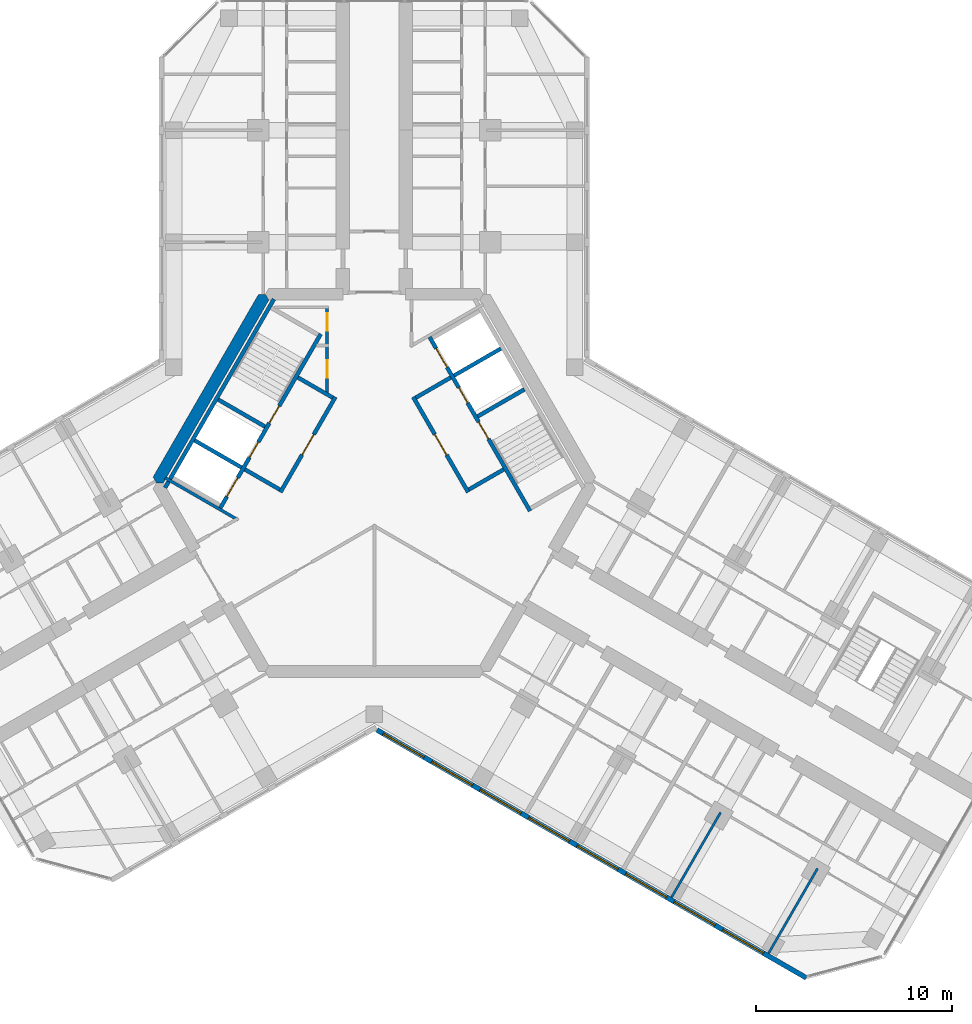
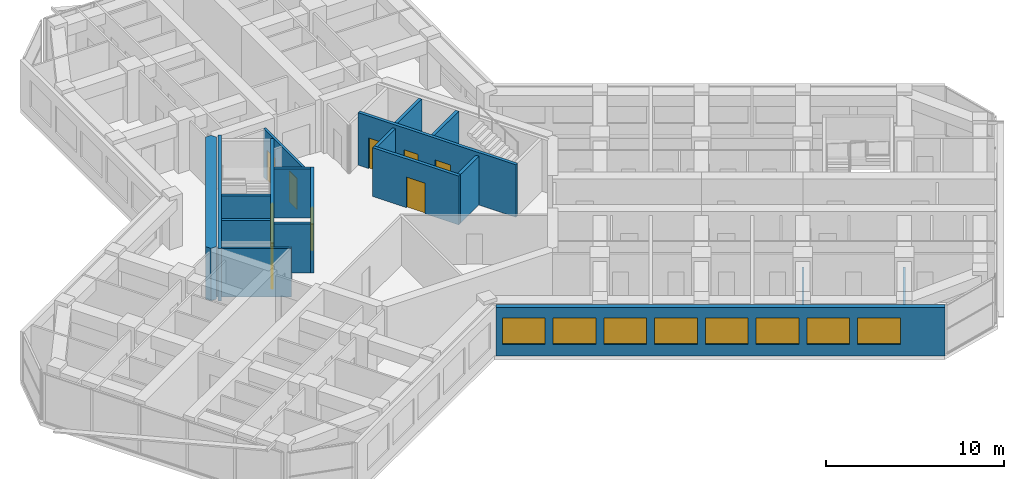
# One storey, part 10 of 16: 19 walls, 10 doors, 8 windows, 18 openings.
"""IFC4 building model written with IfcOpenShell, lengths in metres."""

from ifc_helpers import new_model, si_unit, direction, frame, frame_2d, origin, place, context, subcontext, project, spatial, polyline, rectangle, outline, extrude, material, layer, layer_set, type_object, element, fill, save


model = new_model("IFC4")

# Units and contexts
model_context = context("Model", 3, precision=1e-05, world=origin(), true_north=direction((0.0, 1.0)))
body_context = subcontext(model_context, "Body", "Model", "MODEL_VIEW")
ifc_project = project(units=[si_unit("LENGTHUNIT", "METRE"), si_unit("AREAUNIT", "SQUARE_METRE"), si_unit("VOLUMEUNIT", "CUBIC_METRE"), si_unit("PLANEANGLEUNIT", "RADIAN"), si_unit("MASSUNIT", "GRAM", prefix="KILO")], contexts=[model_context])

# Site, building, storey
site_placement = place(None, origin())
site = spatial("IfcSite", under=ifc_project, at=site_placement, CompositionType="ELEMENT")
building_placement = place(site_placement, origin())
building = spatial("IfcBuilding", under=site, at=building_placement, Name="Kosmar Iwan School Tower", CompositionType="ELEMENT")
storey_placement = place(building_placement, frame((0.0, 0.0, 253.199951171875)))
storey = spatial("IfcBuildingStorey", under=building, at=storey_placement, Name="L64", CompositionType="ELEMENT", Elevation=253.199951171875)

# Wall, openings, doors
ifc_material_1 = material(Name="Gypsum board on steel studs, fire-rated", Category="steel")
ifc_layer_1 = layer(ifc_material_1, 0.14990234375)
ifc_layer_set_1 = layer_set([ifc_layer_1], Name="Core room partition 150")
wall_type_1 = type_object("IfcWallType", Name="Core room partition 150", PredefinedType="PARTITIONING", material=ifc_layer_set_1)
wall_1_placement = place(storey_placement, frame((-2.39990234375, 9.014892578125, 0.0), z_axis=(0.0, 0.0, 1.0), x_axis=(0.0, -1.0, 0.0)))
wall_1 = element("IfcWall", 1, at=wall_1_placement, inside=storey, type_object=wall_type_1, Name="Core room partition L64-CW1", PredefinedType="PARTITIONING", context=body_context, shape_type="SweptSolid", body=[
    extrude(rectangle(XDim=4.484130859375, YDim=0.14990234375, at=frame_2d((2.2421875, 0.0))), origin(), (0.0, 0.0, 1.0), 3.35009765625),
])
opening_1_placement = place(wall_1_placement, frame((0.375, 0.0, 0.0)))
opening_1 = element("IfcOpeningElement", 2, at=opening_1_placement, cuts=wall_1, Name="Opening D14", PredefinedType="OPENING", context=body_context, shape_type="SweptSolid", body=[
    extrude(rectangle(XDim=0.89990234375, YDim=2.10009765625, at=frame_2d((0.449951171875, 1.050048828125))), frame((0.0, 0.0869140625, 0.0), z_axis=(0.0, -1.0, 0.0), x_axis=(1.0, 0.0, 0.0)), (0.0, 0.0, 1.0), 0.173828125),
])
opening_2_placement = place(wall_1_placement, frame((2.77490234375, 0.0, 0.0)))
opening_2 = element("IfcOpeningElement", 3, at=opening_2_placement, cuts=wall_1, Name="Opening D14", PredefinedType="OPENING", context=body_context, shape_type="SweptSolid", body=[
    extrude(rectangle(XDim=0.89990234375, YDim=2.10009765625, at=frame_2d((0.449951171875, 1.050048828125))), frame((0.0, 0.0869140625, 0.0), z_axis=(0.0, -1.0, 0.0), x_axis=(1.0, 0.0, 0.0)), (0.0, 0.0, 1.0), 0.173828125),
])
ifc_material_2 = material(Name="Timber fire door in steel frame", Category="steel")
door_type_1 = type_object("IfcDoorType", Name="Core room door 900x2100", OperationType="SINGLE_SWING_LEFT", PredefinedType="DOOR", material=ifc_material_2)
door_1_placement = place(opening_1_placement, origin())
door_1 = element("IfcDoor", 4, at=door_1_placement, inside=storey, type_object=door_type_1, Name="Electrical riser and switch room door L64 1", OperationType="SINGLE_SWING_LEFT", OverallHeight=2.10009765625, OverallWidth=0.89990234375, PredefinedType="DOOR", context=body_context, shape_type="SweptSolid", body=[
    extrude(rectangle(XDim=0.89990234375, YDim=2.10009765625, at=frame_2d((0.449951171875, 1.050048828125))), frame((0.0, 0.02490234375, 0.0), z_axis=(0.0, -1.0, 0.0), x_axis=(1.0, 0.0, 0.0)), (0.0, 0.0, 1.0), 0.050048828125),
])
fill(opening_1, door_1)
door_2_placement = place(opening_2_placement, origin())
door_2 = element("IfcDoor", 5, at=door_2_placement, inside=storey, type_object=door_type_1, Name="Plumbing and wet riser door L64 2", OperationType="SINGLE_SWING_RIGHT", OverallHeight=2.10009765625, OverallWidth=0.89990234375, PredefinedType="DOOR", context=body_context, shape_type="SweptSolid", body=[
    extrude(rectangle(XDim=0.89990234375, YDim=2.10009765625, at=frame_2d((0.449951171875, 1.050048828125))), frame((0.0, 0.02490234375, 0.0), z_axis=(0.0, -1.0, 0.0), x_axis=(1.0, 0.0, 0.0)), (0.0, 0.0, 1.0), 0.050048828125),
])
fill(opening_2, door_2)

# Walls
wall_2_placement = place(storey_placement, frame((-10.64306640625, 0.255859375, 0.0), z_axis=(0.0, 0.0, 1.0), x_axis=(0.866020364144, -0.500008728811, 0.0)))
element("IfcWall", 6, at=wall_2_placement, inside=storey, type_object=wall_type_1, Name="Core room partition L64-CW10", PredefinedType="PARTITIONING", context=body_context, shape_type="SweptSolid", body=[
    extrude(rectangle(XDim=4.28173828125, YDim=0.14990234375, at=frame_2d((2.140869140625, 0.0))), origin(), (0.0, 0.0, 1.0), 3.35009765625),
])
ifc_material_3 = material(Name="Concrete C50/60", Category="concrete")
ifc_layer_2 = layer(ifc_material_3, 0.60009765625)
ifc_layer_set_2 = layer_set([ifc_layer_2], Name="Core wall 600")
wall_type_2 = type_object("IfcWallType", Name="Core wall 600", PredefinedType="SHEAR", material=ifc_layer_set_2)
wall_3_placement = place(storey_placement, origin())
element("IfcWall", 7, at=wall_3_placement, inside=storey, type_object=wall_type_2, Name="Core wall F150", PredefinedType="SHEAR", context=body_context, shape_type="SweptSolid", body=[
    extrude(outline(polyline([(-11.085205078125, 0.0), (-10.73876953125, 0.0), (-5.369384765625, 9.300048828125), (-5.54248046875, 9.60009765625), (-5.888916015625, 9.60009765625), (-11.25830078125, 0.300048828125), (-11.085205078125, 0.0)])), origin(), (0.0, 0.0, 1.0), 3.60009765625),
])
ifc_material_4 = material(Name="Gypsum board on steel studs", Category="steel")
ifc_layer_3 = layer(ifc_material_4, 0.1201171875)
ifc_layer_set_3 = layer_set([ifc_layer_3], Name="Dwelling partition 120")
wall_type_3 = type_object("IfcWallType", Name="Dwelling partition 120", PredefinedType="PARTITIONING", material=ifc_layer_set_3)
wall_4_placement = place(storey_placement, frame((17.62646484375, -16.77001953125, 0.0), z_axis=(0.0, 0.0, 1.0), x_axis=(-0.499975153383, -0.86603974851, 0.0)))
element("IfcWall", 8, at=wall_4_placement, inside=storey, type_object=wall_type_3, Name="Partition L64-CR3-X1", PredefinedType="PARTITIONING", context=body_context, shape_type="SweptSolid", body=[
    extrude(rectangle(XDim=4.989990234375, YDim=0.1201171875, at=frame_2d((2.4951171875, 0.0))), origin(), (0.0, 0.0, 1.0), 2.449951171875),
])
wall_5_placement = place(storey_placement, frame((22.562744140625, -19.6201171875, 0.0), z_axis=(0.0, 0.0, 1.0), x_axis=(-0.499996339024, -0.86602751744, 0.0)))
element("IfcWall", 9, at=wall_5_placement, inside=storey, type_object=wall_type_3, Name="Partition L64-CR3-X2", PredefinedType="PARTITIONING", context=body_context, shape_type="SweptSolid", body=[
    extrude(rectangle(XDim=4.98974609375, YDim=0.1201171875, at=frame_2d((2.494873046875, 0.0))), origin(), (0.0, 0.0, 1.0), 2.449951171875),
])

# Wall, openings, windows
ifc_material_5 = material(Name="Black aluminium rainscreen on insulated framing", Category="aluminium")
ifc_layer_4 = layer(ifc_material_5, 0.25)
ifc_layer_set_4 = layer_set([ifc_layer_4], Name="External wall rainscreen 250")
wall_type_4 = type_object("IfcWallType", Name="External wall rainscreen 250", PredefinedType="SOLIDWALL", material=ifc_layer_set_4)
wall_6_placement = place(storey_placement, frame((0.137939453125, -12.5791015625, 0.0), z_axis=(0.0, 0.0, 1.0), x_axis=(0.866023775649, -0.500002820003, 0.0)))
wall_6 = element("IfcWall", 10, at=wall_6_placement, inside=storey, type_object=wall_type_4, Name="External wall CR L64", PredefinedType="SOLIDWALL", context=body_context, shape_type="SweptSolid", body=[
    extrude(rectangle(XDim=25.226318359375, YDim=0.25, at=frame_2d((12.61328125, 0.0))), origin(), (0.0, 0.0, 1.0), 3.35009765625),
])
opening_3_placement = place(wall_6_placement, frame((0.365966796875, 0.0, 0.800048828125)))
opening_3 = element("IfcOpeningElement", 11, at=opening_3_placement, cuts=wall_6, Name="Opening W5", PredefinedType="OPENING", context=body_context, shape_type="SweptSolid", body=[
    extrude(rectangle(XDim=2.39990234375, YDim=1.800048828125, at=frame_2d((1.199951171875, 0.89990234375))), frame((0.0, 0.136962890625, 0.0), z_axis=(0.0, -1.0, 0.0), x_axis=(1.0, 0.0, 0.0)), (0.0, 0.0, 1.0), 0.27392578125),
])
opening_4_placement = place(wall_6_placement, frame((3.216064453125, 0.0, 0.800048828125)))
opening_4 = element("IfcOpeningElement", 12, at=opening_4_placement, cuts=wall_6, Name="Opening W5", PredefinedType="OPENING", context=body_context, shape_type="SweptSolid", body=[
    extrude(rectangle(XDim=2.39990234375, YDim=1.800048828125, at=frame_2d((1.199951171875, 0.89990234375))), frame((0.0, 0.136962890625, 0.0), z_axis=(0.0, -1.0, 0.0), x_axis=(1.0, 0.0, 0.0)), (0.0, 0.0, 1.0), 0.27392578125),
])
opening_5_placement = place(wall_6_placement, frame((6.06591796875, 0.0, 0.800048828125)))
opening_5 = element("IfcOpeningElement", 13, at=opening_5_placement, cuts=wall_6, Name="Opening W5", PredefinedType="OPENING", context=body_context, shape_type="SweptSolid", body=[
    extrude(rectangle(XDim=2.39990234375, YDim=1.800048828125, at=frame_2d((1.199951171875, 0.89990234375))), frame((0.0, 0.136962890625, 0.0), z_axis=(0.0, -1.0, 0.0), x_axis=(1.0, 0.0, 0.0)), (0.0, 0.0, 1.0), 0.27392578125),
])
opening_6_placement = place(wall_6_placement, frame((8.916015625, 0.0, 0.800048828125)))
opening_6 = element("IfcOpeningElement", 14, at=opening_6_placement, cuts=wall_6, Name="Opening W5", PredefinedType="OPENING", context=body_context, shape_type="SweptSolid", body=[
    extrude(rectangle(XDim=2.39990234375, YDim=1.800048828125, at=frame_2d((1.199951171875, 0.89990234375))), frame((0.0, 0.136962890625, 0.0), z_axis=(0.0, -1.0, 0.0), x_axis=(1.0, 0.0, 0.0)), (0.0, 0.0, 1.0), 0.27392578125),
])
opening_7_placement = place(wall_6_placement, frame((11.76611328125, 0.0, 0.800048828125)))
opening_7 = element("IfcOpeningElement", 15, at=opening_7_placement, cuts=wall_6, Name="Opening W5", PredefinedType="OPENING", context=body_context, shape_type="SweptSolid", body=[
    extrude(rectangle(XDim=2.39990234375, YDim=1.800048828125, at=frame_2d((1.199951171875, 0.89990234375))), frame((0.0, 0.136962890625, 0.0), z_axis=(0.0, -1.0, 0.0), x_axis=(1.0, 0.0, 0.0)), (0.0, 0.0, 1.0), 0.27392578125),
])
opening_8_placement = place(wall_6_placement, frame((14.615966796875, 0.0, 0.800048828125)))
opening_8 = element("IfcOpeningElement", 16, at=opening_8_placement, cuts=wall_6, Name="Opening W5", PredefinedType="OPENING", context=body_context, shape_type="SweptSolid", body=[
    extrude(rectangle(XDim=2.39990234375, YDim=1.800048828125, at=frame_2d((1.199951171875, 0.89990234375))), frame((0.0, 0.136962890625, 0.0), z_axis=(0.0, -1.0, 0.0), x_axis=(1.0, 0.0, 0.0)), (0.0, 0.0, 1.0), 0.27392578125),
])
opening_9_placement = place(wall_6_placement, frame((17.466064453125, 0.0, 0.800048828125)))
opening_9 = element("IfcOpeningElement", 17, at=opening_9_placement, cuts=wall_6, Name="Opening W5", PredefinedType="OPENING", context=body_context, shape_type="SweptSolid", body=[
    extrude(rectangle(XDim=2.39990234375, YDim=1.800048828125, at=frame_2d((1.199951171875, 0.89990234375))), frame((0.0, 0.136962890625, 0.0), z_axis=(0.0, -1.0, 0.0), x_axis=(1.0, 0.0, 0.0)), (0.0, 0.0, 1.0), 0.27392578125),
])
opening_10_placement = place(wall_6_placement, frame((20.31591796875, 0.0, 0.800048828125)))
opening_10 = element("IfcOpeningElement", 18, at=opening_10_placement, cuts=wall_6, Name="Opening W5", PredefinedType="OPENING", context=body_context, shape_type="SweptSolid", body=[
    extrude(rectangle(XDim=2.39990234375, YDim=1.800048828125, at=frame_2d((1.199951171875, 0.89990234375))), frame((0.0, 0.136962890625, 0.0), z_axis=(0.0, -1.0, 0.0), x_axis=(1.0, 0.0, 0.0)), (0.0, 0.0, 1.0), 0.27392578125),
])
ifc_material_6 = material(Name="Black aluminium frame with dark triple glazing", Category="aluminium")
window_type = type_object("IfcWindowType", Name="Window 2400x1800", PartitioningType="SINGLE_PANEL", PredefinedType="WINDOW", material=ifc_material_6)
window_1_placement = place(opening_3_placement, origin())
window_1 = element("IfcWindow", 19, at=window_1_placement, inside=storey, type_object=window_type, Name="Window CR L64 -1", OverallHeight=1.800048828125, OverallWidth=2.39990234375, PartitioningType="SINGLE_PANEL", PredefinedType="WINDOW", context=body_context, shape_type="SweptSolid", body=[
    extrude(rectangle(XDim=2.39990234375, YDim=1.800048828125, at=frame_2d((1.199951171875, 0.89990234375))), frame((0.0, 0.030029296875, 0.0), z_axis=(0.0, -1.0, 0.0), x_axis=(1.0, 0.0, 0.0)), (0.0, 0.0, 1.0), 0.06005859375),
])
fill(opening_3, window_1)
window_2_placement = place(opening_4_placement, origin())
window_2 = element("IfcWindow", 20, at=window_2_placement, inside=storey, type_object=window_type, Name="Window CR L64 0", OverallHeight=1.800048828125, OverallWidth=2.39990234375, PartitioningType="SINGLE_PANEL", PredefinedType="WINDOW", context=body_context, shape_type="SweptSolid", body=[
    extrude(rectangle(XDim=2.39990234375, YDim=1.800048828125, at=frame_2d((1.199951171875, 0.89990234375))), frame((0.0, 0.030029296875, 0.0), z_axis=(0.0, -1.0, 0.0), x_axis=(1.0, 0.0, 0.0)), (0.0, 0.0, 1.0), 0.06005859375),
])
fill(opening_4, window_2)
window_3_placement = place(opening_5_placement, origin())
window_3 = element("IfcWindow", 21, at=window_3_placement, inside=storey, type_object=window_type, Name="Window CR L64 1", OverallHeight=1.800048828125, OverallWidth=2.39990234375, PartitioningType="SINGLE_PANEL", PredefinedType="WINDOW", context=body_context, shape_type="SweptSolid", body=[
    extrude(rectangle(XDim=2.39990234375, YDim=1.800048828125, at=frame_2d((1.199951171875, 0.89990234375))), frame((0.0, 0.030029296875, 0.0), z_axis=(0.0, -1.0, 0.0), x_axis=(1.0, 0.0, 0.0)), (0.0, 0.0, 1.0), 0.06005859375),
])
fill(opening_5, window_3)
window_4_placement = place(opening_6_placement, origin())
window_4 = element("IfcWindow", 22, at=window_4_placement, inside=storey, type_object=window_type, Name="Window CR L64 2", OverallHeight=1.800048828125, OverallWidth=2.39990234375, PartitioningType="SINGLE_PANEL", PredefinedType="WINDOW", context=body_context, shape_type="SweptSolid", body=[
    extrude(rectangle(XDim=2.39990234375, YDim=1.800048828125, at=frame_2d((1.199951171875, 0.89990234375))), frame((0.0, 0.030029296875, 0.0), z_axis=(0.0, -1.0, 0.0), x_axis=(1.0, 0.0, 0.0)), (0.0, 0.0, 1.0), 0.06005859375),
])
fill(opening_6, window_4)
window_5_placement = place(opening_7_placement, origin())
window_5 = element("IfcWindow", 23, at=window_5_placement, inside=storey, type_object=window_type, Name="Window CR L64 3", OverallHeight=1.800048828125, OverallWidth=2.39990234375, PartitioningType="SINGLE_PANEL", PredefinedType="WINDOW", context=body_context, shape_type="SweptSolid", body=[
    extrude(rectangle(XDim=2.39990234375, YDim=1.800048828125, at=frame_2d((1.199951171875, 0.89990234375))), frame((0.0, 0.030029296875, 0.0), z_axis=(0.0, -1.0, 0.0), x_axis=(1.0, 0.0, 0.0)), (0.0, 0.0, 1.0), 0.06005859375),
])
fill(opening_7, window_5)
window_6_placement = place(opening_8_placement, origin())
window_6 = element("IfcWindow", 24, at=window_6_placement, inside=storey, type_object=window_type, Name="Window CR L64 4", OverallHeight=1.800048828125, OverallWidth=2.39990234375, PartitioningType="SINGLE_PANEL", PredefinedType="WINDOW", context=body_context, shape_type="SweptSolid", body=[
    extrude(rectangle(XDim=2.39990234375, YDim=1.800048828125, at=frame_2d((1.199951171875, 0.89990234375))), frame((0.0, 0.030029296875, 0.0), z_axis=(0.0, -1.0, 0.0), x_axis=(1.0, 0.0, 0.0)), (0.0, 0.0, 1.0), 0.06005859375),
])
fill(opening_8, window_6)
window_7_placement = place(opening_9_placement, origin())
window_7 = element("IfcWindow", 25, at=window_7_placement, inside=storey, type_object=window_type, Name="Window CR L64 5", OverallHeight=1.800048828125, OverallWidth=2.39990234375, PartitioningType="SINGLE_PANEL", PredefinedType="WINDOW", context=body_context, shape_type="SweptSolid", body=[
    extrude(rectangle(XDim=2.39990234375, YDim=1.800048828125, at=frame_2d((1.199951171875, 0.89990234375))), frame((0.0, 0.030029296875, 0.0), z_axis=(0.0, -1.0, 0.0), x_axis=(1.0, 0.0, 0.0)), (0.0, 0.0, 1.0), 0.06005859375),
])
fill(opening_9, window_7)
window_8_placement = place(opening_10_placement, origin())
window_8 = element("IfcWindow", 26, at=window_8_placement, inside=storey, type_object=window_type, Name="Window CR L64 6", OverallHeight=1.800048828125, OverallWidth=2.39990234375, PartitioningType="SINGLE_PANEL", PredefinedType="WINDOW", context=body_context, shape_type="SweptSolid", body=[
    extrude(rectangle(XDim=2.39990234375, YDim=1.800048828125, at=frame_2d((1.199951171875, 0.89990234375))), frame((0.0, 0.030029296875, 0.0), z_axis=(0.0, -1.0, 0.0), x_axis=(1.0, 0.0, 0.0)), (0.0, 0.0, 1.0), 0.06005859375),
])
fill(opening_10, window_8)

# Wall, opening, door
ifc_material_7 = material(Name="Concrete block masonry", Category="masonry")
ifc_layer_5 = layer(ifc_material_7, 0.199951171875)
ifc_layer_set_5 = layer_set([ifc_layer_5], Name="Fire lobby wall 200")
wall_type_5 = type_object("IfcWallType", Name="Fire lobby wall 200", PredefinedType="PARTITIONING", material=ifc_layer_set_5)
wall_7_placement = place(storey_placement, frame((-1.9775390625, 4.374755859375, 0.0), z_axis=(0.0, 0.0, 1.0), x_axis=(-0.500016814911, -0.866015695474, 0.0)))
wall_7 = element("IfcWall", 27, at=wall_7_placement, inside=storey, type_object=wall_type_5, Name="Firefighting lobby wall ST2", PredefinedType="PARTITIONING", context=body_context, shape_type="SweptSolid", body=[
    extrude(rectangle(XDim=5.599853515625, YDim=0.199951171875, at=frame_2d((2.7998046875, 0.0))), origin(), (0.0, 0.0, 1.0), 3.35009765625),
])
opening_11_placement = place(wall_7_placement, frame((2.199951171875, 0.0, 0.0)))
opening_11 = element("IfcOpeningElement", 28, at=opening_11_placement, cuts=wall_7, Name="Opening D7", PredefinedType="OPENING", context=body_context, shape_type="SweptSolid", body=[
    extrude(rectangle(XDim=1.199951171875, YDim=2.10009765625, at=frame_2d((0.60009765625, 1.050048828125))), frame((0.0, 0.112060546875, 0.0), z_axis=(0.0, -1.0, 0.0), x_axis=(1.0, 0.0, 0.0)), (0.0, 0.0, 1.0), 0.223876953125),
])
ifc_material_8 = material(Name="Steel fire door", Category="steel")
door_type_2 = type_object("IfcDoorType", Name="Fire lobby door 1200x2100", OperationType="SINGLE_SWING_LEFT", PredefinedType="DOOR", material=ifc_material_8)
door_3_placement = place(opening_11_placement, origin())
door_3 = element("IfcDoor", 29, at=door_3_placement, inside=storey, type_object=door_type_2, Name="Firefighting lobby door ST2 L64", OperationType="SINGLE_SWING_RIGHT", OverallHeight=2.10009765625, OverallWidth=1.199951171875, PredefinedType="DOOR", context=body_context, shape_type="SweptSolid", body=[
    extrude(rectangle(XDim=1.199951171875, YDim=2.10009765625, at=frame_2d((0.60009765625, 1.050048828125))), frame((0.0, 0.02490234375, 0.0), z_axis=(0.0, -1.0, 0.0), x_axis=(1.0, 0.0, 0.0)), (0.0, 0.0, 1.0), 0.050048828125),
])
fill(opening_11, door_3)

# Walls
wall_8_placement = place(storey_placement, frame((-2.114013671875, 4.33837890625, 0.0), z_axis=(0.0, 0.0, 1.0), x_axis=(-0.866050731258, 0.499956128963, 0.0)))
element("IfcWall", 30, at=wall_8_placement, inside=storey, type_object=wall_type_5, Name="Firefighting lobby wall ST2", PredefinedType="PARTITIONING", context=body_context, shape_type="SweptSolid", body=[
    extrude(rectangle(XDim=2.050048828125, YDim=0.199951171875, at=frame_2d((1.02490234375, 0.0))), origin(), (0.0, 0.0, 1.0), 3.35009765625),
])
wall_9_placement = place(storey_placement, frame((-4.814208984375, -0.33837890625, 0.0), z_axis=(0.0, 0.0, 1.0), x_axis=(-0.865969381856, 0.500097020274, 0.0)))
element("IfcWall", 31, at=wall_9_placement, inside=storey, type_object=wall_type_5, Name="Firefighting lobby wall ST2", PredefinedType="PARTITIONING", context=body_context, shape_type="SweptSolid", body=[
    extrude(rectangle(XDim=2.0498046875, YDim=0.199951171875, at=frame_2d((1.02490234375, 0.0))), origin(), (0.0, 0.0, 1.0), 3.35009765625),
])

# Wall, opening, door
wall_10_placement = place(storey_placement, frame((4.777587890625, -0.474853515625, 0.0), z_axis=(0.0, 0.0, 1.0), x_axis=(-0.500016814911, 0.866015695474, 0.0)))
wall_10 = element("IfcWall", 32, at=wall_10_placement, inside=storey, type_object=wall_type_5, Name="Firefighting lobby wall ST1", PredefinedType="PARTITIONING", context=body_context, shape_type="SweptSolid", body=[
    extrude(rectangle(XDim=5.599853515625, YDim=0.199951171875, at=frame_2d((2.7998046875, 0.0))), origin(), (0.0, 0.0, 1.0), 3.35009765625),
])
opening_12_placement = place(wall_10_placement, frame((2.199951171875, 0.0, 0.0)))
opening_12 = element("IfcOpeningElement", 33, at=opening_12_placement, cuts=wall_10, Name="Opening D7", PredefinedType="OPENING", context=body_context, shape_type="SweptSolid", body=[
    extrude(rectangle(XDim=1.199951171875, YDim=2.10009765625, at=frame_2d((0.60009765625, 1.050048828125))), frame((0.0, 0.112060546875, 0.0), z_axis=(0.0, -1.0, 0.0), x_axis=(1.0, 0.0, 0.0)), (0.0, 0.0, 1.0), 0.223876953125),
])
door_4_placement = place(opening_12_placement, origin())
door_4 = element("IfcDoor", 34, at=door_4_placement, inside=storey, type_object=door_type_2, Name="Firefighting lobby door ST1 L64", OperationType="SINGLE_SWING_RIGHT", OverallHeight=2.10009765625, OverallWidth=1.199951171875, PredefinedType="DOOR", context=body_context, shape_type="SweptSolid", body=[
    extrude(rectangle(XDim=1.199951171875, YDim=2.10009765625, at=frame_2d((0.60009765625, 1.050048828125))), frame((0.0, 0.02490234375, 0.0), z_axis=(0.0, -1.0, 0.0), x_axis=(1.0, 0.0, 0.0)), (0.0, 0.0, 1.0), 0.050048828125),
])
fill(opening_12, door_4)

# Walls
wall_11_placement = place(storey_placement, frame((4.814208984375, -0.33837890625, 0.0), z_axis=(0.0, 0.0, 1.0), x_axis=(0.865969381856, 0.500097020274, 0.0)))
element("IfcWall", 35, at=wall_11_placement, inside=storey, type_object=wall_type_5, Name="Firefighting lobby wall ST1", PredefinedType="PARTITIONING", context=body_context, shape_type="SweptSolid", body=[
    extrude(rectangle(XDim=2.0498046875, YDim=0.199951171875, at=frame_2d((1.02490234375, 0.0))), origin(), (0.0, 0.0, 1.0), 3.35009765625),
])
wall_12_placement = place(storey_placement, frame((2.114013671875, 4.33837890625, 0.0), z_axis=(0.0, 0.0, 1.0), x_axis=(0.866050731258, 0.499956128963, 0.0)))
element("IfcWall", 36, at=wall_12_placement, inside=storey, type_object=wall_type_5, Name="Firefighting lobby wall ST1", PredefinedType="PARTITIONING", context=body_context, shape_type="SweptSolid", body=[
    extrude(rectangle(XDim=2.050048828125, YDim=0.199951171875, at=frame_2d((1.02490234375, 0.0))), origin(), (0.0, 0.0, 1.0), 3.35009765625),
])

# Wall, openings, doors
ifc_material_9 = material(Name="Concrete C50/60", Category="concrete")
ifc_layer_6 = layer(ifc_material_9, 0.199951171875)
ifc_layer_set_6 = layer_set([ifc_layer_6], Name="Lift shaft wall 200")
wall_type_6 = type_object("IfcWallType", Name="Lift shaft wall 200", PredefinedType="SHEAR", material=ifc_layer_set_6)
wall_13_placement = place(storey_placement, frame((-2.72607421875, 7.578369140625, 0.0), z_axis=(0.0, 0.0, 1.0), x_axis=(-0.499998717582, -0.866026144187, 0.0)))
wall_13 = element("IfcWall", 37, at=wall_13_placement, inside=storey, type_object=wall_type_6, Name="Lift and stair front wall AB", PredefinedType="SHEAR", context=body_context, shape_type="SweptSolid", body=[
    extrude(rectangle(XDim=10.22509765625, YDim=0.199951171875, at=frame_2d((5.112548828125, 0.0))), origin(), (0.0, 0.0, 1.0), 3.60009765625),
])
opening_13_placement = place(wall_13_placement, frame((6.35009765625, 0.0, 0.0)))
opening_13 = element("IfcOpeningElement", 38, at=opening_13_placement, cuts=wall_13, Name="Opening LD2", PredefinedType="OPENING", context=body_context, shape_type="SweptSolid", body=[
    extrude(rectangle(XDim=0.89990234375, YDim=2.10009765625, at=frame_2d((0.449951171875, 1.050048828125))), frame((0.0, 0.112060546875, 0.0), z_axis=(0.0, -1.0, 0.0), x_axis=(1.0, 0.0, 0.0)), (0.0, 0.0, 1.0), 0.223876953125),
])
opening_14_placement = place(wall_13_placement, frame((8.449951171875, 0.0, 0.0)))
opening_14 = element("IfcOpeningElement", 39, at=opening_14_placement, cuts=wall_13, Name="Opening LD1", PredefinedType="OPENING", context=body_context, shape_type="SweptSolid", body=[
    extrude(rectangle(XDim=1.10009765625, YDim=2.10009765625, at=frame_2d((0.550048828125, 1.050048828125))), frame((0.0, 0.112060546875, 0.0), z_axis=(0.0, -1.0, 0.0), x_axis=(1.0, 0.0, 0.0)), (0.0, 0.0, 1.0), 0.223876953125),
])
opening_15_placement = place(wall_13_placement, frame((4.22998046875, 0.0, 0.0)))
opening_15 = element("IfcOpeningElement", 40, at=opening_15_placement, cuts=wall_13, Name="Opening D6", PredefinedType="OPENING", context=body_context, shape_type="SweptSolid", body=[
    extrude(rectangle(XDim=1.0, YDim=2.10009765625, at=frame_2d((0.5, 1.050048828125))), frame((0.0, 0.112060546875, 0.0), z_axis=(0.0, -1.0, 0.0), x_axis=(1.0, 0.0, 0.0)), (0.0, 0.0, 1.0), 0.223876953125),
])
ifc_material_10 = material(Name="Stainless steel sliding lift door", Category="steel")
door_type_3 = type_object("IfcDoorType", Name="Firefighting lift landing door 900x2100", OperationType="SLIDING_TO_LEFT", PredefinedType="DOOR", material=ifc_material_10)
door_5_placement = place(opening_13_placement, origin())
door_5 = element("IfcDoor", 41, at=door_5_placement, inside=storey, type_object=door_type_3, Name="Lift FF2 landing door L64", OperationType="SLIDING_TO_LEFT", OverallHeight=2.10009765625, OverallWidth=0.89990234375, PredefinedType="DOOR", context=body_context, shape_type="SweptSolid", body=[
    extrude(rectangle(XDim=0.89990234375, YDim=2.10009765625, at=frame_2d((0.449951171875, 1.050048828125))), frame((0.0, 0.02490234375, 0.0), z_axis=(0.0, -1.0, 0.0), x_axis=(1.0, 0.0, 0.0)), (0.0, 0.0, 1.0), 0.050048828125),
])
fill(opening_13, door_5)
ifc_material_11 = material(Name="Stainless steel sliding lift door", Category="steel")
door_type_4 = type_object("IfcDoorType", Name="Lift landing door 1100x2100", OperationType="SLIDING_TO_LEFT", PredefinedType="DOOR", material=ifc_material_11)
door_6_placement = place(opening_14_placement, origin())
door_6 = element("IfcDoor", 42, at=door_6_placement, inside=storey, type_object=door_type_4, Name="Lift PL6 landing door L64", OperationType="SLIDING_TO_LEFT", OverallHeight=2.10009765625, OverallWidth=1.10009765625, PredefinedType="DOOR", context=body_context, shape_type="SweptSolid", body=[
    extrude(rectangle(XDim=1.10009765625, YDim=2.10009765625, at=frame_2d((0.550048828125, 1.050048828125))), frame((0.0, 0.02490234375, 0.0), z_axis=(0.0, -1.0, 0.0), x_axis=(1.0, 0.0, 0.0)), (0.0, 0.0, 1.0), 0.050048828125),
])
fill(opening_14, door_6)
ifc_material_12 = material(Name="Steel fire door", Category="steel")
door_type_5 = type_object("IfcDoorType", Name="Stair door 1000x2100", OperationType="SINGLE_SWING_LEFT", PredefinedType="DOOR", material=ifc_material_12)
door_7_placement = place(opening_15_placement, origin())
door_7 = element("IfcDoor", 43, at=door_7_placement, inside=storey, type_object=door_type_5, Name="Stair ST2 door L64", OperationType="SINGLE_SWING_LEFT", OverallHeight=2.10009765625, OverallWidth=1.0, PredefinedType="DOOR", context=body_context, shape_type="SweptSolid", body=[
    extrude(rectangle(XDim=1.0, YDim=2.10009765625, at=frame_2d((0.5, 1.050048828125))), frame((0.0, 0.02490234375, 0.0), z_axis=(0.0, -1.0, 0.0), x_axis=(1.0, 0.0, 0.0)), (0.0, 0.0, 1.0), 0.050048828125),
])
fill(opening_15, door_7)

# Walls
wall_14_placement = place(storey_placement, frame((-5.109619140625, 9.35009765625, 0.0), z_axis=(0.0, 0.0, 1.0), x_axis=(-0.499990629522, -0.866030813765, 0.0)))
element("IfcWall", 44, at=wall_14_placement, inside=storey, type_object=wall_type_6, Name="Lift and stair back wall AB", PredefinedType="SHEAR", context=body_context, shape_type="SweptSolid", body=[
    extrude(rectangle(XDim=11.085205078125, YDim=0.199951171875, at=frame_2d((5.54248046875, 0.0))), origin(), (0.0, 0.0, 1.0), 3.60009765625),
])
wall_15_placement = place(storey_placement, frame((-6.7626953125, 0.78662109375, 0.0), z_axis=(0.0, 0.0, 1.0), x_axis=(-0.866027397988, 0.499996545922, 0.0)))
element("IfcWall", 45, at=wall_15_placement, inside=storey, type_object=wall_type_6, Name="Lift shaft wall AB 1", PredefinedType="SHEAR", context=body_context, shape_type="SweptSolid", body=[
    extrude(rectangle(XDim=2.75, YDim=0.199951171875, at=frame_2d((1.375, 0.0))), origin(), (0.0, 0.0, 1.0), 3.60009765625),
])

# Wall, openings, doors
wall_16_placement = place(storey_placement, frame((7.926025390625, -1.42822265625, 0.0), z_axis=(0.0, 0.0, 1.0), x_axis=(-0.50000905659, 0.866020174897, 0.0)))
wall_16 = element("IfcWall", 46, at=wall_16_placement, inside=storey, type_object=wall_type_6, Name="Lift and stair front wall AC", PredefinedType="SHEAR", context=body_context, shape_type="SweptSolid", body=[
    extrude(rectangle(XDim=10.224853515625, YDim=0.199951171875, at=frame_2d((5.1123046875, 0.0))), origin(), (0.0, 0.0, 1.0), 3.60009765625),
])
opening_16_placement = place(wall_16_placement, frame((6.35009765625, 0.0, 0.0)))
opening_16 = element("IfcOpeningElement", 47, at=opening_16_placement, cuts=wall_16, Name="Opening LD2", PredefinedType="OPENING", context=body_context, shape_type="SweptSolid", body=[
    extrude(rectangle(XDim=0.89990234375, YDim=2.10009765625, at=frame_2d((0.449951171875, 1.050048828125))), frame((0.0, 0.112060546875, 0.0), z_axis=(0.0, -1.0, 0.0), x_axis=(1.0, 0.0, 0.0)), (0.0, 0.0, 1.0), 0.223876953125),
])
opening_17_placement = place(wall_16_placement, frame((8.449951171875, 0.0, 0.0)))
opening_17 = element("IfcOpeningElement", 48, at=opening_17_placement, cuts=wall_16, Name="Opening LD1", PredefinedType="OPENING", context=body_context, shape_type="SweptSolid", body=[
    extrude(rectangle(XDim=1.10009765625, YDim=2.10009765625, at=frame_2d((0.550048828125, 1.050048828125))), frame((0.0, 0.112060546875, 0.0), z_axis=(0.0, -1.0, 0.0), x_axis=(1.0, 0.0, 0.0)), (0.0, 0.0, 1.0), 0.223876953125),
])
opening_18_placement = place(wall_16_placement, frame((4.22998046875, 0.0, 0.0)))
opening_18 = element("IfcOpeningElement", 49, at=opening_18_placement, cuts=wall_16, Name="Opening D6", PredefinedType="OPENING", context=body_context, shape_type="SweptSolid", body=[
    extrude(rectangle(XDim=1.0, YDim=2.10009765625, at=frame_2d((0.5, 1.050048828125))), frame((0.0, 0.112060546875, 0.0), z_axis=(0.0, -1.0, 0.0), x_axis=(1.0, 0.0, 0.0)), (0.0, 0.0, 1.0), 0.223876953125),
])
door_8_placement = place(opening_16_placement, origin())
door_8 = element("IfcDoor", 50, at=door_8_placement, inside=storey, type_object=door_type_3, Name="Lift FF1 landing door L64", OperationType="SLIDING_TO_LEFT", OverallHeight=2.10009765625, OverallWidth=0.89990234375, PredefinedType="DOOR", context=body_context, shape_type="SweptSolid", body=[
    extrude(rectangle(XDim=0.89990234375, YDim=2.10009765625, at=frame_2d((0.449951171875, 1.050048828125))), frame((0.0, 0.02490234375, 0.0), z_axis=(0.0, -1.0, 0.0), x_axis=(1.0, 0.0, 0.0)), (0.0, 0.0, 1.0), 0.050048828125),
])
fill(opening_16, door_8)
door_9_placement = place(opening_17_placement, origin())
door_9 = element("IfcDoor", 51, at=door_9_placement, inside=storey, type_object=door_type_4, Name="Lift PL5 landing door L64", OperationType="SLIDING_TO_LEFT", OverallHeight=2.10009765625, OverallWidth=1.10009765625, PredefinedType="DOOR", context=body_context, shape_type="SweptSolid", body=[
    extrude(rectangle(XDim=1.10009765625, YDim=2.10009765625, at=frame_2d((0.550048828125, 1.050048828125))), frame((0.0, 0.02490234375, 0.0), z_axis=(0.0, -1.0, 0.0), x_axis=(1.0, 0.0, 0.0)), (0.0, 0.0, 1.0), 0.050048828125),
])
fill(opening_17, door_9)
door_10_placement = place(opening_18_placement, origin())
door_10 = element("IfcDoor", 52, at=door_10_placement, inside=storey, type_object=door_type_5, Name="Stair ST1 door L64", OperationType="SINGLE_SWING_LEFT", OverallHeight=2.10009765625, OverallWidth=1.0, PredefinedType="DOOR", context=body_context, shape_type="SweptSolid", body=[
    extrude(rectangle(XDim=1.0, YDim=2.10009765625, at=frame_2d((0.5, 1.050048828125))), frame((0.0, 0.02490234375, 0.0), z_axis=(0.0, -1.0, 0.0), x_axis=(1.0, 0.0, 0.0)), (0.0, 0.0, 1.0), 0.050048828125),
])
fill(opening_18, door_10)

# Walls
wall_17_placement = place(storey_placement, frame((4.062744140625, 5.46337890625, 0.0), z_axis=(0.0, 0.0, 1.0), x_axis=(0.866027397988, 0.499996545922, 0.0)))
element("IfcWall", 53, at=wall_17_placement, inside=storey, type_object=wall_type_6, Name="Lift shaft wall AC 1", PredefinedType="SHEAR", context=body_context, shape_type="SweptSolid", body=[
    extrude(rectangle(XDim=2.75, YDim=0.199951171875, at=frame_2d((1.375, 0.0))), origin(), (0.0, 0.0, 1.0), 3.60009765625),
])
ifc_material_13 = material(Name="Concrete C50/60", Category="concrete")
ifc_layer_7 = layer(ifc_material_13, 0.199951171875)
ifc_layer_set_7 = layer_set([ifc_layer_7], Name="Stair enclosure wall 200")
wall_type_7 = type_object("IfcWallType", Name="Stair enclosure wall 200", PredefinedType="SHEAR", material=ifc_layer_set_7)
for number, where, z_axis, x_axis, name in (
    (54, (-5.562744140625, 2.865234375, 0.0), (0.0, 0.0, 1.0), (-0.866027397988, 0.499996545922, 0.0), "Stair ST2 wall"),
    (55, (5.2626953125, 3.384765625, 0.0), (0.0, 0.0, 1.0), (0.866027397988, 0.499996545922, 0.0), "Stair ST1 wall"),
):
    element("IfcWall", number, at=place(storey_placement, frame(where, z_axis=z_axis, x_axis=x_axis)), inside=storey, type_object=wall_type_7, Name=name, PredefinedType="SHEAR", context=body_context, shape_type="SweptSolid", body=[
        extrude(rectangle(XDim=2.75, YDim=0.199951171875, at=frame_2d((1.375, 0.0))), origin(), (0.0, 0.0, 1.0), 3.60009765625),
    ])

save(model, "model.ifc")
